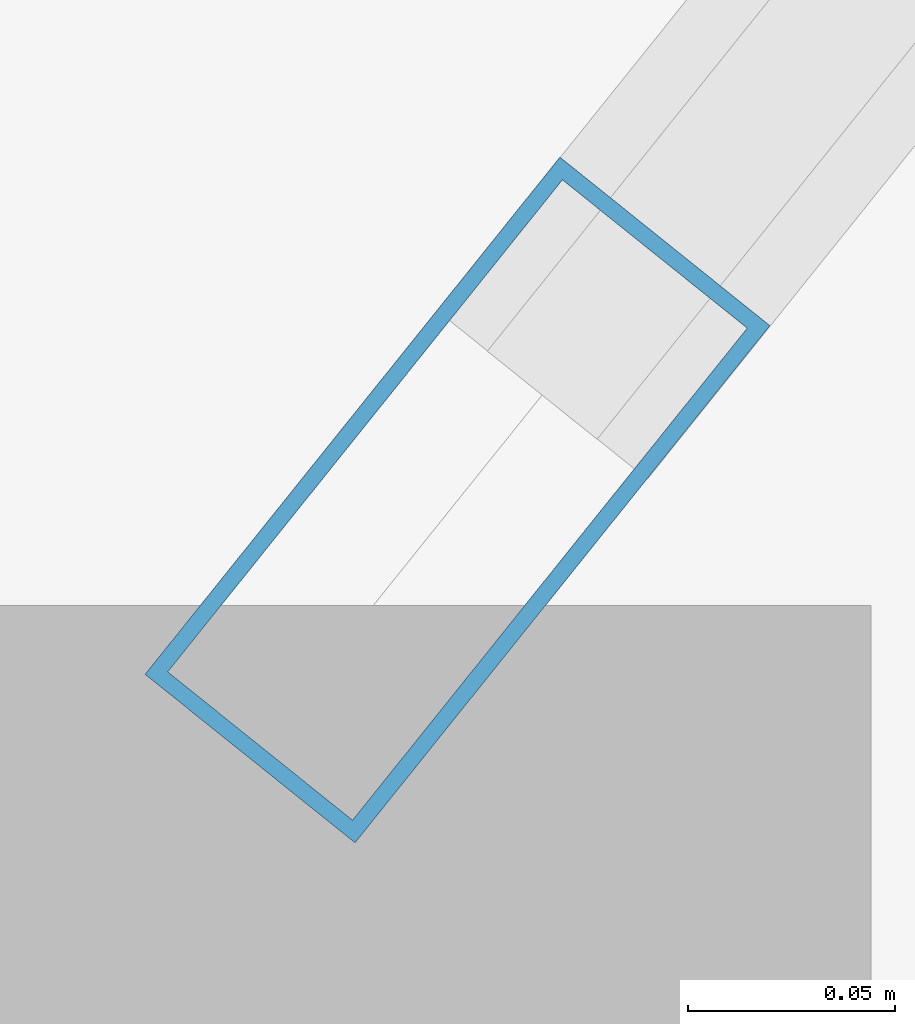
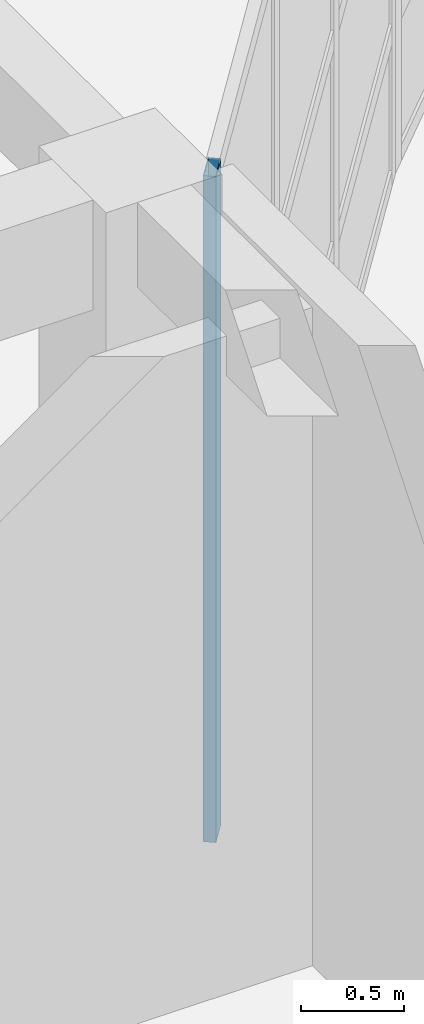
# One storey, part 29 of 114: 1 member, 1 element without a shape of its own.
"""IFC4 building model written with IfcOpenShell, lengths in metres."""

from ifc_helpers import new_model, si_unit, direction, frame, origin, origin_2d, place, context, subcontext, project, spatial, hollow_rectangle, extrude, material, layer, layer_set, material_profile, profile_set, type_object, element, aggregate, save


model = new_model("IFC4")

# Units and contexts
model_context = context("Model", 3, precision=1e-05, world=origin(), true_north=direction((0.0, 1.0)))
body_context = subcontext(model_context, "Body", "Model", "MODEL_VIEW")
ifc_project = project(units=[si_unit("LENGTHUNIT", "METRE"), si_unit("AREAUNIT", "SQUARE_METRE"), si_unit("VOLUMEUNIT", "CUBIC_METRE"), si_unit("PLANEANGLEUNIT", "RADIAN"), si_unit("MASSUNIT", "GRAM", prefix="KILO")], contexts=[model_context])

# Site, building, storey
site_placement = place(None, origin())
site = spatial("IfcSite", under=ifc_project, at=site_placement, CompositionType="ELEMENT")
building_placement = place(site_placement, origin())
building = spatial("IfcBuilding", under=site, at=building_placement, Name="Keldmere Railside Commons", CompositionType="ELEMENT")
storey_placement = place(building_placement, origin())
storey = spatial("IfcBuildingStorey", under=building, at=storey_placement, Name="L00", CompositionType="ELEMENT", Elevation=0.0)

# Curtain wall, member
ifc_material = material(Name="Thermally Broken Aluminium", Category="aluminium")
ifc_layer = layer(ifc_material, 0.159912109375, Name="Residential Ground Entrance Lobby CW 4000x3600")
ifc_layer_set = layer_set([ifc_layer], Name="Thermally Broken Aluminium")
curtain_wall_type = type_object("IfcCurtainWallType", Name="Residential Ground Entrance Lobby CW 4000x3600", PredefinedType="NOTDEFINED", material=ifc_layer_set)
curtain_wall_placement = place(storey_placement, origin())
curtain_wall = element("IfcCurtainWall", 1, at=curtain_wall_placement, inside=storey, type_object=curtain_wall_type, Name="CW-10 CW-L00-025", PredefinedType="NOTDEFINED")
ifc_material_profile = material_profile(ifc_material, hollow_rectangle(XDim=0.06494140625, YDim=0.159912109375, WallThickness=0.00390625, at=origin_2d()), Name="ALU-MULL-65x160")
ifc_profile_set = profile_set([ifc_material_profile], Name="Thermally Broken Aluminium")
member_type = type_object("IfcMemberType", Name="Unitised Curtain Wall Mullion 65x160", PredefinedType="MULLION", material=ifc_profile_set)
member_placement = place(storey_placement, frame((64.020263671875, 88.025390625, 0.0), z_axis=(0.0, 0.0, 1.0), x_axis=(0.780009172323, -0.625768080915, 0.0)))
member = element("IfcMember", 2, at=member_placement, type_object=member_type, Name="CW-10 mullion 4", PredefinedType="MULLION", context=body_context, shape_type="SweptSolid", body=[
    extrude(hollow_rectangle(XDim=0.06494140625, YDim=0.159912109375, WallThickness=0.00390625, at=origin_2d()), origin(), (0.0, 0.0, 1.0), 3.93994140625),
])
aggregate(curtain_wall, [member])

save(model, "model.ifc")
